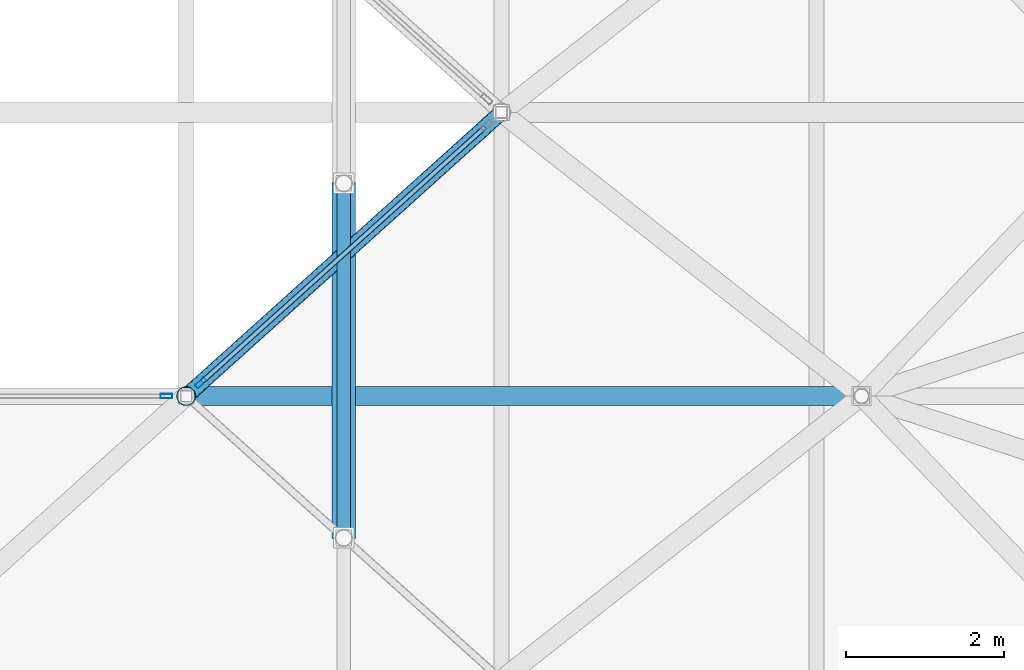
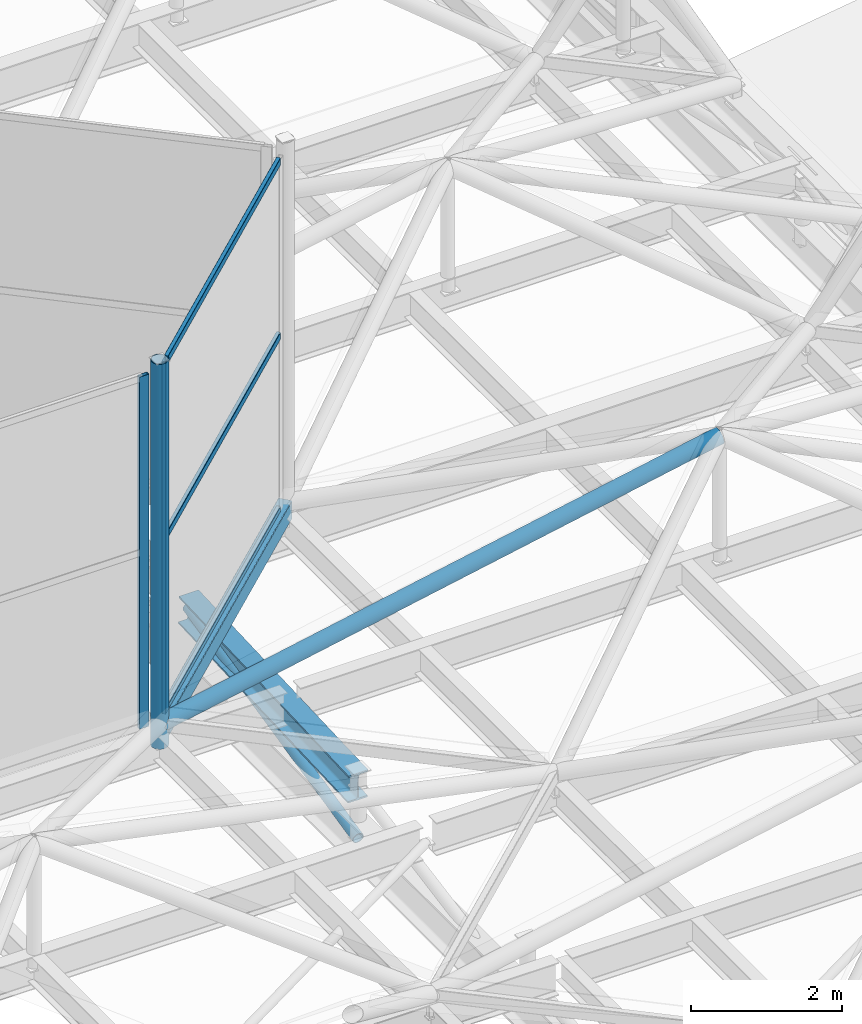
# One storey, part 42 of 239: 8 members, 2 beams, 2 elements without a shape of their own.
"""IFC4 building model written with IfcOpenShell, lengths in metres."""

import ifcopenshell
import ifcopenshell.guid

model = None  # the IFC model being written
_history = None  # IfcOwnerHistory: only IFC2X3 demands one
_inside = {}  # id of a spatial element -> (the spatial element, [elements in it])
_under = {}  # id of a project, library or spatial element -> (it, [spatial elements below it])
_declared = {}  # id of a project -> (the project, [libraries it declares])
_typed = {}  # id of a type object -> (the type object, [elements of that type])
_made_of = {}  # id of a material, layer set ... -> (it, [elements and type objects made of it])


def new_model(schema):
    """Start an empty IFC model of exactly this schema.

    Asked for "IFC4X3", IfcOpenShell would pick the latest addendum, in which some entities
    have other attributes; the version numbers below select the first issue.
    IFC2X3 requires an IfcOwnerHistory on every rooted entity: one is made here for all.
    """
    global model, _history
    if schema == "IFC4X3":
        model = ifcopenshell.file(schema_version=(4, 3, 0, 0))
    else:
        model = ifcopenshell.file(schema=schema)
    _inside.clear()
    _under.clear()
    _declared.clear()
    _typed.clear()
    _made_of.clear()
    _history = None
    if model.schema == "IFC2X3":
        org = make("IfcOrganization", Name="unknown")
        user = make(
            "IfcPersonAndOrganization",
            ThePerson=make("IfcPerson", FamilyName="unknown"),
            TheOrganization=org,
        )
        app = make(
            "IfcApplication",
            ApplicationDeveloper=org,
            Version="unknown",
            ApplicationFullName="unknown",
            ApplicationIdentifier="unknown",
        )
        _history = make(
            "IfcOwnerHistory",
            OwningUser=user,
            OwningApplication=app,
            ChangeAction="ADDED",
            CreationDate=0,
        )
    return model


def make(cls, **values):
    """One entity of the class cls with the attributes given. An attribute that is None is left unset."""
    return model.create_entity(
        cls, **{name: value for name, value in values.items() if value is not None}
    )


def rooted(cls, **values):
    """An entity with a GlobalId (a new one), such as an element, a storey or a relation."""
    return make(cls, GlobalId=ifcopenshell.guid.new(), OwnerHistory=_history, **values)


def si_unit(unit_type, name, prefix=None):
    """IfcSIUnit, for example si_unit("LENGTHUNIT", "METRE", prefix="MILLI")."""
    return make("IfcSIUnit", UnitType=unit_type, Prefix=prefix, Name=name)


def assignment(units):
    """IfcUnitAssignment: the units of a project."""
    return None if units is None else make("IfcUnitAssignment", Units=units)


def point(xyz):
    """IfcCartesianPoint."""
    return None if xyz is None else make("IfcCartesianPoint", Coordinates=xyz)


def direction(xyz):
    """IfcDirection."""
    return None if xyz is None else make("IfcDirection", DirectionRatios=xyz)


def frame(location, z_axis=None, x_axis=None):
    """IfcAxis2Placement3D, a coordinate frame: its origin and axes. An axis left out is left unset."""
    return make(
        "IfcAxis2Placement3D",
        Location=point(location),
        Axis=direction(z_axis),
        RefDirection=direction(x_axis),
    )


def frame_2d(location, x_axis=None):
    """IfcAxis2Placement2D, a coordinate frame in the plane: its origin and x axis."""
    return make(
        "IfcAxis2Placement2D", Location=point(location), RefDirection=direction(x_axis)
    )


def origin():
    """The frame at (0, 0, 0) with its axes left unset."""
    return frame((0.0, 0.0, 0.0))


def origin_2d():
    """The frame at (0, 0) in the plane with its x axis left unset."""
    return frame_2d((0.0, 0.0))


def place(relative_to, where):
    """IfcLocalPlacement: puts the frame where relative to a parent placement (None: the world)."""
    return make(
        "IfcLocalPlacement", PlacementRelTo=relative_to, RelativePlacement=where
    )


def context(
    kind, dimensions, precision=None, world=None, true_north=None, identifier=None
):
    """IfcGeometricRepresentationContext, for example the 3D "Model" context."""
    return make(
        "IfcGeometricRepresentationContext",
        ContextIdentifier=identifier,
        ContextType=kind,
        CoordinateSpaceDimension=dimensions,
        Precision=precision,
        WorldCoordinateSystem=world,
        TrueNorth=true_north,
    )


def subcontext(parent, identifier, kind, view, scale=None):
    """IfcGeometricRepresentationSubContext, for example "Body" below "Model"."""
    return make(
        "IfcGeometricRepresentationSubContext",
        ContextIdentifier=identifier,
        ContextType=kind,
        ParentContext=parent,
        TargetScale=scale,
        TargetView=view,
    )


def project(units=None, contexts=None):
    """IfcProject with its units and contexts."""
    return rooted(
        "IfcProject",
        Name="project",
        RepresentationContexts=contexts,
        UnitsInContext=assignment(units),
    )


def spatial(cls, under=None, at=None, **own):
    """A site, building, storey or space (cls), placed at a placement, below another one or the project."""
    s = rooted(cls, ObjectPlacement=at, **own)
    if under is not None:
        _under.setdefault(under.id(), (under, []))[1].append(s)
    return s


def profile(cls, at=None, kind="AREA", **sizes):
    """A parametric profile (cls). Its sizes go by their IFC names, for example OverallWidth=200.0."""
    return make(cls, ProfileType=kind, Position=at, **sizes)


def hollow_rectangle(**sizes):
    """IfcRectangleHollowProfileDef."""
    return profile("IfcRectangleHollowProfileDef", **sizes)


def hollow_circle(**sizes):
    """IfcCircleHollowProfileDef."""
    return profile("IfcCircleHollowProfileDef", **sizes)


def i_section(**sizes):
    """IfcIShapeProfileDef."""
    return profile("IfcIShapeProfileDef", **sizes)


def extrude(swept, where, along, depth):
    """IfcExtrudedAreaSolid: the profile swept, set in the frame where, extruded along a direction by depth."""
    return make(
        "IfcExtrudedAreaSolid",
        SweptArea=swept,
        Position=where,
        ExtrudedDirection=direction(along),
        Depth=depth,
    )


def shape(context_of_items, identifier, shape_type, items):
    """IfcShapeRepresentation: the items that make up one representation, for example the "Body"."""
    return make(
        "IfcShapeRepresentation",
        ContextOfItems=context_of_items,
        RepresentationIdentifier=identifier,
        RepresentationType=shape_type,
        Items=items,
    )


def material(Name=None, Category=None):
    """IfcMaterial."""
    return make("IfcMaterial", Name=Name, Category=Category)


def layer(
    of_material, thickness, ventilated=None, Name=None, Category=None, Priority=None
):
    """IfcMaterialLayer: one layer of a wall or slab, of a material (None: an air gap)."""
    return make(
        "IfcMaterialLayer",
        Material=of_material,
        LayerThickness=thickness,
        IsVentilated=ventilated,
        Name=Name,
        Category=Category,
        Priority=Priority,
    )


def layer_set(layers, Name=None):
    """IfcMaterialLayerSet."""
    return make("IfcMaterialLayerSet", MaterialLayers=layers, LayerSetName=Name)


def material_profile(
    of_material, cross_section, Name=None, Category=None, Priority=None
):
    """IfcMaterialProfile: a cross section and its material."""
    return make(
        "IfcMaterialProfile",
        Name=Name,
        Material=of_material,
        Profile=cross_section,
        Priority=Priority,
        Category=Category,
    )


def profile_set(profiles, Name=None, composite=None):
    """IfcMaterialProfileSet."""
    return make(
        "IfcMaterialProfileSet",
        Name=Name,
        MaterialProfiles=profiles,
        CompositeProfile=composite,
    )


def made_of(thing, what):
    """Note that an element or type object is made of a material, layer set ...; save() writes the relation."""
    if what is not None:
        _made_of.setdefault(what.id(), (what, []))[1].append(thing)
    return thing


def type_object(cls, material=None, **own):
    """A type object (cls), such as IfcWallType, which elements share."""
    return made_of(rooted(cls, **own), material)


def element(
    cls,
    number,
    at=None,
    inside=None,
    cuts=None,
    type_object=None,
    material=None,
    context=None,
    identifier="Body",
    shape_type=None,
    held_by="IfcProductDefinitionShape",
    body=None,
    shapes=None,
    **own,
):
    """One element of the class cls, such as IfcWall. Its Tag is "e" and its number.

    at: its placement. inside: the storey or other place that contains it. cuts: it is an
    opening in that element (IfcRelVoidsElement). A single representation is given by context,
    identifier, shape_type and body (its items); several are given by shapes. held_by: the class
    of the entity that holds the representations. save() writes the other relations.
    """
    e = rooted(cls, Tag="e%d" % number, ObjectPlacement=at, **own)
    if body is not None:
        shapes = [shape(context, identifier, shape_type, body)]
    if shapes is not None:
        e.Representation = make(held_by, Representations=shapes)
    if inside is not None:
        _inside.setdefault(inside.id(), (inside, []))[1].append(e)
    if cuts is not None:
        rooted(
            "IfcRelVoidsElement", RelatingBuildingElement=cuts, RelatedOpeningElement=e
        )
    if type_object is not None:
        _typed.setdefault(type_object.id(), (type_object, []))[1].append(e)
    return made_of(e, material)


def aggregate(whole, parts):
    """IfcRelAggregates: a whole, such as a stair, and the parts it consists of."""
    return rooted("IfcRelAggregates", RelatingObject=whole, RelatedObjects=parts)


def save(model, path):
    """Write the relations noted so far, then the file.

    IfcRelAggregates (storeys below a building ...), IfcRelContainedInSpatialStructure (elements
    in a storey), IfcRelDefinesByType, IfcRelAssociatesMaterial and IfcRelDeclares: one each for
    every whole, place, type object, material and project.
    """
    for whole, parts in _under.values():
        aggregate(whole, parts)
    for where, things in _inside.values():
        rooted(
            "IfcRelContainedInSpatialStructure",
            RelatedElements=things,
            RelatingStructure=where,
        )
    for kind, things in _typed.values():
        rooted("IfcRelDefinesByType", RelatedObjects=things, RelatingType=kind)
    for what, things in _made_of.values():
        rooted("IfcRelAssociatesMaterial", RelatedObjects=things, RelatingMaterial=what)
    for by, libraries in _declared.values():
        rooted("IfcRelDeclares", RelatingContext=by, RelatedDefinitions=libraries)
    model.write(path)


model = new_model("IFC4")

# Units and contexts
model_context = context("Model", 3, precision=1e-05, world=origin(), true_north=direction((0.0, 1.0)))
body_context = subcontext(model_context, "Body", "Model", "MODEL_VIEW")
ifc_project = project(units=[si_unit("LENGTHUNIT", "METRE"), si_unit("AREAUNIT", "SQUARE_METRE"), si_unit("VOLUMEUNIT", "CUBIC_METRE"), si_unit("PLANEANGLEUNIT", "RADIAN"), si_unit("MASSUNIT", "GRAM", prefix="KILO")], contexts=[model_context])

# Site, building, storey
site_placement = place(None, origin())
site = spatial("IfcSite", under=ifc_project, at=site_placement, CompositionType="ELEMENT")
building_placement = place(site_placement, origin())
building = spatial("IfcBuilding", under=site, at=building_placement, Name="Dunvalen Ferry Terminal", CompositionType="ELEMENT")
storey_placement = place(building_placement, frame((0.0, 0.0, 9.840087890625)))
storey = spatial("IfcBuildingStorey", under=building, at=storey_placement, Name="L02", CompositionType="ELEMENT", Elevation=9.840087890625)

# Curtain wall, member
ifc_material_1 = material(Name="Anodised marine aluminium and solar-control glazing", Category="aluminium")
ifc_layer_1 = layer(ifc_material_1, 0.179931640625, Name="Anodised marine aluminium and solar-control glazing")
ifc_layer_set_1 = layer_set([ifc_layer_1], Name="Anodised marine aluminium and solar-control glazing")
curtain_wall_type_1 = type_object("IfcCurtainWallType", Name="ENV-CW-SYS-06", PredefinedType="NOTDEFINED", material=ifc_layer_set_1)
curtain_wall_1_placement = place(storey_placement, origin())
curtain_wall_1 = element("IfcCurtainWall", 1, at=curtain_wall_1_placement, inside=storey, type_object=curtain_wall_type_1, Name="L02 Curtain Wall CW-HEX-36-SK-2", PredefinedType="NOTDEFINED")
ifc_material_2 = material(Name="Anodised marine aluminium EN AW-6063 T6", Category="aluminium")
ifc_material_profile_1 = material_profile(ifc_material_2, hollow_rectangle(XDim=0.06005859375, YDim=0.14990234375, WallThickness=0.00341796875, InnerFilletRadius=0.00341796875, OuterFilletRadius=0.007080078125, at=origin_2d()), Name="Anodised marine aluminium EN AW-6063 T6")
ifc_profile_set_1 = profile_set([ifc_material_profile_1], Name="Anodised marine aluminium EN AW-6063 T6")
member_type_1 = type_object("IfcMemberType", Name="ENV-CW-MUL-3", PredefinedType="MULLION", material=ifc_profile_set_1)
member_1_placement = place(storey_placement, frame((81.75, 61.199951171875, 1.139892578125), z_axis=(0.0, 0.0, 1.0), x_axis=(0.0, 1.0, 0.0)))
member_1 = element("IfcMember", 2, at=member_1_placement, type_object=member_type_1, Name="CW-06 mullion 3", PredefinedType="MULLION", context=body_context, shape_type="SweptSolid", body=[
    extrude(hollow_rectangle(XDim=0.06005859375, YDim=0.14990234375, WallThickness=0.00341796875, InnerFilletRadius=0.00341796875, OuterFilletRadius=0.007080078125, at=origin_2d()), origin(), (0.0, 0.0, 1.0), 5.699951171875),
])
aggregate(curtain_wall_1, [member_1])

# Curtain wall, members
ifc_layer_2 = layer(ifc_material_1, 0.179931640625, Name="Anodised marine aluminium and solar-control glazing")
ifc_layer_set_2 = layer_set([ifc_layer_2], Name="Anodised marine aluminium and solar-control glazing")
curtain_wall_type_2 = type_object("IfcCurtainWallType", Name="ENV-CW-SYS-05", PredefinedType="NOTDEFINED", material=ifc_layer_set_2)
curtain_wall_2_placement = place(storey_placement, origin())
curtain_wall_2 = element("IfcCurtainWall", 3, at=curtain_wall_2_placement, inside=storey, type_object=curtain_wall_type_2, Name="L02 Curtain Wall CW-HEX-36-SK-3", PredefinedType="NOTDEFINED")
member_2_placement = place(storey_placement, frame((82.185791015625, 61.3671875, 1.139892578125), z_axis=(0.0, 0.0, 1.0), x_axis=(-0.668953550894, 0.74330420875, 0.0)))
member_2 = element("IfcMember", 4, at=member_2_placement, type_object=member_type_1, Name="CW-05 mullion 1", PredefinedType="MULLION", context=body_context, shape_type="SweptSolid", body=[
    extrude(hollow_rectangle(XDim=0.06005859375, YDim=0.14990234375, WallThickness=0.00341796875, InnerFilletRadius=0.00341796875, OuterFilletRadius=0.007080078125, at=origin_2d()), origin(), (0.0, 0.0, 1.0), 5.699951171875),
])
ifc_material_profile_2 = material_profile(ifc_material_2, hollow_rectangle(XDim=0.06005859375, YDim=0.114990234375, WallThickness=0.0029296875, InnerFilletRadius=0.0029296875, OuterFilletRadius=0.006103515625, at=origin_2d()), Name="Anodised marine aluminium EN AW-6063 T6")
ifc_profile_set_2 = profile_set([ifc_material_profile_2], Name="Anodised marine aluminium EN AW-6063 T6")
member_type_2 = type_object("IfcMemberType", Name="ENV-CW-TRN-3", PredefinedType="USERDEFINED", material=ifc_profile_set_2)
member_3_placement = place(storey_placement, frame((82.2080078125, 61.387451171875, 1.169921875), z_axis=(0.743344500928, 0.668908777742, 0.0), x_axis=(-0.668908777742, 0.743344500928, 0.0)))
member_3 = element("IfcMember", 5, at=member_3_placement, type_object=member_type_2, Name="CW-05 transom 1.1", ObjectType="TRANSOM", PredefinedType="USERDEFINED", context=body_context, shape_type="SweptSolid", body=[
    extrude(hollow_rectangle(XDim=0.06005859375, YDim=0.114990234375, WallThickness=0.0029296875, InnerFilletRadius=0.0029296875, OuterFilletRadius=0.006103515625, at=origin_2d()), origin(), (0.0, 0.0, 1.0), 4.821533203125),
])
member_4_placement = place(storey_placement, frame((82.2080078125, 61.387451171875, 3.989990234375), z_axis=(0.743344500928, 0.668908777742, 0.0), x_axis=(-0.668908777742, 0.743344500928, 0.0)))
member_4 = element("IfcMember", 6, at=member_4_placement, type_object=member_type_2, Name="CW-05 transom 1.2", ObjectType="TRANSOM", PredefinedType="USERDEFINED", context=body_context, shape_type="SweptSolid", body=[
    extrude(hollow_rectangle(XDim=0.06005859375, YDim=0.114990234375, WallThickness=0.0029296875, InnerFilletRadius=0.0029296875, OuterFilletRadius=0.006103515625, at=origin_2d()), origin(), (0.0, 0.0, 1.0), 4.821533203125),
])
member_5_placement = place(storey_placement, frame((82.2080078125, 61.387451171875, 6.809814453125), z_axis=(0.743344500928, 0.668908777742, 0.0), x_axis=(-0.668908777742, 0.743344500928, 0.0)))
member_5 = element("IfcMember", 7, at=member_5_placement, type_object=member_type_2, Name="CW-05 transom 1.3", ObjectType="TRANSOM", PredefinedType="USERDEFINED", context=body_context, shape_type="SweptSolid", body=[
    extrude(hollow_rectangle(XDim=0.06005859375, YDim=0.114990234375, WallThickness=0.0029296875, InnerFilletRadius=0.0029296875, OuterFilletRadius=0.006103515625, at=origin_2d()), origin(), (0.0, 0.0, 1.0), 4.821533203125),
])
aggregate(curtain_wall_2, [member_2, member_3, member_4, member_5])

# Beams
ifc_material_3 = material(Name="Steel S355", Category="steel")
ifc_material_profile_3 = material_profile(ifc_material_3, i_section(OverallWidth=0.300048828125, OverallDepth=0.449951171875, WebThickness=0.013916015625, FlangeThickness=0.02587890625, FilletRadius=0.027099609375, at=origin_2d()), Name="Steel S355")
ifc_profile_set_3 = profile_set([ifc_material_profile_3], Name="Steel S355")
beam_type_1 = type_object("IfcBeamType", Name="STR-BM-HEB450", PredefinedType="BEAM", material=ifc_profile_set_3)
beam_1_placement = place(storey_placement, frame((84.0, 59.39990234375, 0.474853515625), z_axis=(0.0, 0.999166564808, 0.040818816368), x_axis=(-1.0, 0.0, 0.0)))
element("IfcBeam", 8, at=beam_1_placement, inside=storey, type_object=beam_type_1, Name="Departure Hall Tied-Arch Rib 07.3", PredefinedType="BEAM", context=body_context, shape_type="SweptSolid", body=[
    extrude(i_section(OverallWidth=0.300048828125, OverallDepth=0.449951171875, WebThickness=0.013916015625, FlangeThickness=0.02587890625, FilletRadius=0.027099609375, at=origin_2d()), origin(), (0.0, 0.0, 1.0), 4.503662109375),
])
ifc_material_profile_4 = material_profile(ifc_material_3, hollow_rectangle(XDim=0.199951171875, YDim=0.300048828125, WallThickness=0.010009765625, InnerFilletRadius=0.010009765625, OuterFilletRadius=0.02001953125, at=origin_2d()), Name="Steel S355")
ifc_profile_set_4 = profile_set([ifc_material_profile_4], Name="Steel S355")
beam_type_2 = type_object("IfcBeamType", Name="STR-BM-RHS300", PredefinedType="BEAM", material=ifc_profile_set_4)
beam_2_placement = place(storey_placement, frame((82.0, 61.199951171875, 1.0), z_axis=(0.743285123004, 0.668974757313, 0.0), x_axis=(-0.668974757313, 0.743285123004, 0.0)))
element("IfcBeam", 9, at=beam_2_placement, inside=storey, type_object=beam_type_2, Name="HEX-36 Lantern Curb Ring Beam 3", PredefinedType="BEAM", context=body_context, shape_type="SweptSolid", body=[
    extrude(hollow_rectangle(XDim=0.199951171875, YDim=0.300048828125, WallThickness=0.010009765625, InnerFilletRadius=0.010009765625, OuterFilletRadius=0.02001953125, at=origin_2d()), origin(), (0.0, 0.0, 1.0), 5.381591796875),
])

# Members
ifc_material_profile_5 = material_profile(ifc_material_3, hollow_circle(Radius=0.084228515625, WallThickness=0.008056640625, at=origin_2d()), Name="Steel S355")
ifc_profile_set_5 = profile_set([ifc_material_profile_5], Name="Steel S355")
member_type_3 = type_object("IfcMemberType", Name="STR-MB-CHS168", PredefinedType="BRACE", material=ifc_profile_set_5)
member_6_placement = place(storey_placement, frame((84.0, 59.39990234375, -0.360107421875), z_axis=(0.0, 0.975316524259, 0.220811407104), x_axis=(-1.0, 0.0, 0.0)))
element("IfcMember", 10, at=member_6_placement, inside=storey, type_object=member_type_3, Name="Departure Hall Arch Web Diagonal 07.3", PredefinedType="BRACE", context=body_context, shape_type="SweptSolid", body=[
    extrude(hollow_circle(Radius=0.084228515625, WallThickness=0.008056640625, at=origin_2d()), origin(), (0.0, 0.0, 1.0), 4.61376953125),
])
ifc_material_profile_6 = material_profile(ifc_material_3, hollow_circle(Radius=0.122314453125, WallThickness=0.010009765625, at=origin_2d()), Name="Steel S355")
ifc_profile_set_6 = profile_set([ifc_material_profile_6], Name="Steel S355")
member_type_4 = type_object("IfcMemberType", Name="STR-MB-CHS244", PredefinedType="STRUT", material=ifc_profile_set_6)
member_7_placement = place(storey_placement, frame((82.0, 61.199951171875, 0.77001953125), z_axis=(0.0, 0.0, 1.0), x_axis=(1.0, 0.0, 0.0)))
element("IfcMember", 11, at=member_7_placement, inside=storey, type_object=member_type_4, Name="HEX-36 Skylight Lantern Corner Strut 3", PredefinedType="STRUT", context=body_context, shape_type="SweptSolid", body=[
    extrude(hollow_circle(Radius=0.122314453125, WallThickness=0.010009765625, at=origin_2d()), origin(), (0.0, 0.0, 1.0), 6.22998046875),
])
member_8_placement = place(storey_placement, frame((82.0, 61.199951171875, 1.099853515625), z_axis=(0.981649716778, 0.0, 0.190693034876), x_axis=(0.0, 1.0, 0.0)))
element("IfcMember", 12, at=member_8_placement, inside=storey, type_object=member_type_4, Name="HEX-41 Pyramid Hip Rafter 1", PredefinedType="STRUT", context=body_context, shape_type="SweptSolid", body=[
    extrude(hollow_circle(Radius=0.122314453125, WallThickness=0.010009765625, at=origin_2d()), origin(), (0.0, 0.0, 1.0), 8.7314453125),
])

save(model, "model.ifc")
